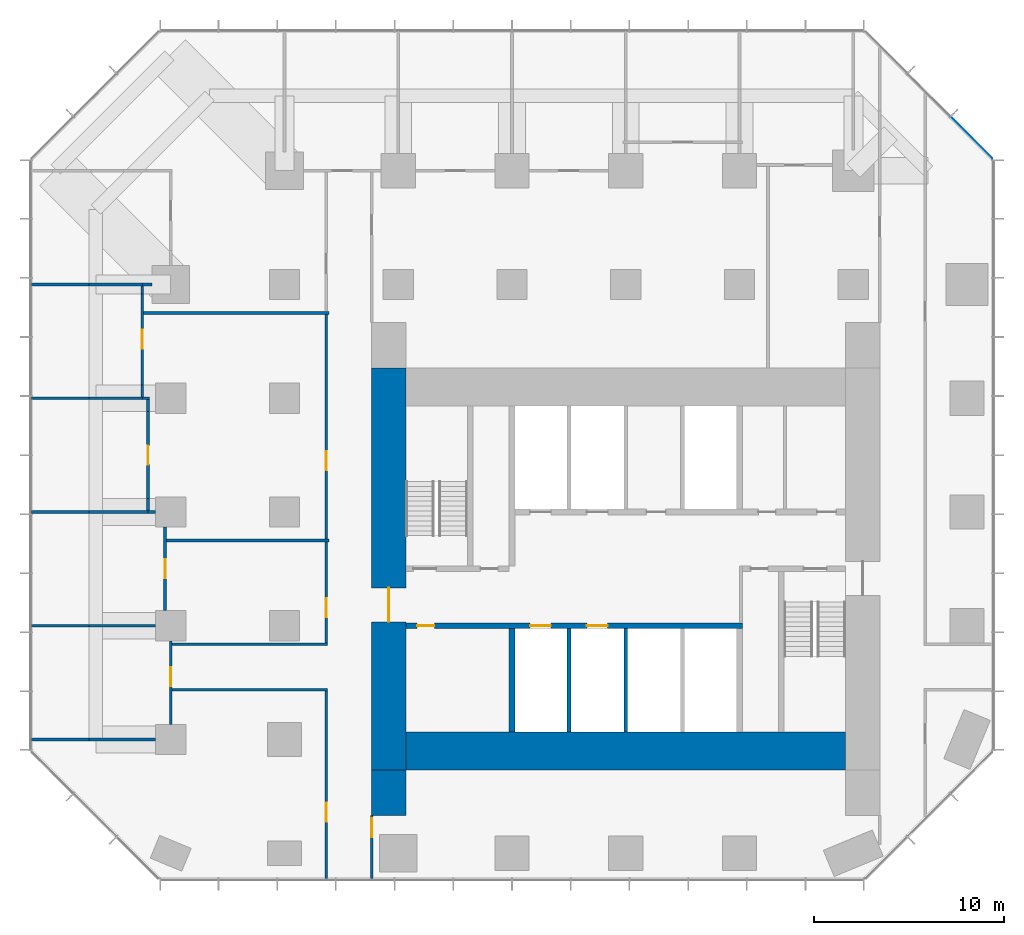
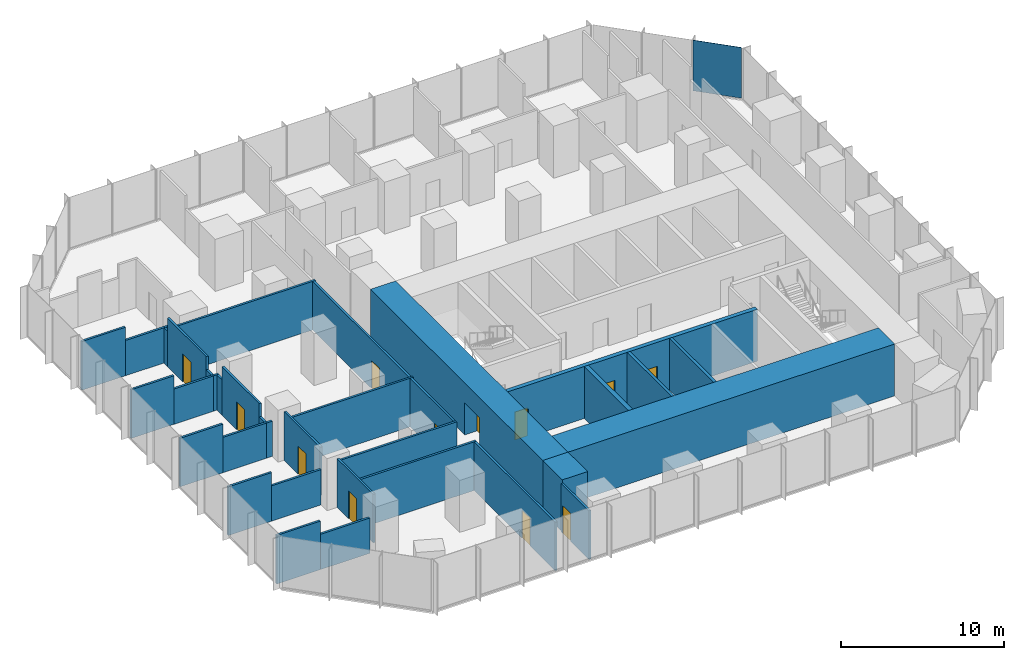
# One storey, part 8 of 11: 36 walls, 12 doors, 1 plate, 12 openings, 1 element without a shape of its own.
"""IFC4 building model written with IfcOpenShell, lengths in metres."""

import ifcopenshell
import ifcopenshell.guid

model = None  # the IFC model being written
_history = None  # IfcOwnerHistory: only IFC2X3 demands one
_inside = {}  # id of a spatial element -> (the spatial element, [elements in it])
_under = {}  # id of a project, library or spatial element -> (it, [spatial elements below it])
_declared = {}  # id of a project -> (the project, [libraries it declares])
_typed = {}  # id of a type object -> (the type object, [elements of that type])
_made_of = {}  # id of a material, layer set ... -> (it, [elements and type objects made of it])


def new_model(schema):
    """Start an empty IFC model of exactly this schema.

    Asked for "IFC4X3", IfcOpenShell would pick the latest addendum, in which some entities
    have other attributes; the version numbers below select the first issue.
    IFC2X3 requires an IfcOwnerHistory on every rooted entity: one is made here for all.
    """
    global model, _history
    if schema == "IFC4X3":
        model = ifcopenshell.file(schema_version=(4, 3, 0, 0))
    else:
        model = ifcopenshell.file(schema=schema)
    _inside.clear()
    _under.clear()
    _declared.clear()
    _typed.clear()
    _made_of.clear()
    _history = None
    if model.schema == "IFC2X3":
        org = make("IfcOrganization", Name="unknown")
        user = make(
            "IfcPersonAndOrganization",
            ThePerson=make("IfcPerson", FamilyName="unknown"),
            TheOrganization=org,
        )
        app = make(
            "IfcApplication",
            ApplicationDeveloper=org,
            Version="unknown",
            ApplicationFullName="unknown",
            ApplicationIdentifier="unknown",
        )
        _history = make(
            "IfcOwnerHistory",
            OwningUser=user,
            OwningApplication=app,
            ChangeAction="ADDED",
            CreationDate=0,
        )
    return model


def make(cls, **values):
    """One entity of the class cls with the attributes given. An attribute that is None is left unset."""
    return model.create_entity(
        cls, **{name: value for name, value in values.items() if value is not None}
    )


def rooted(cls, **values):
    """An entity with a GlobalId (a new one), such as an element, a storey or a relation."""
    return make(cls, GlobalId=ifcopenshell.guid.new(), OwnerHistory=_history, **values)


def si_unit(unit_type, name, prefix=None):
    """IfcSIUnit, for example si_unit("LENGTHUNIT", "METRE", prefix="MILLI")."""
    return make("IfcSIUnit", UnitType=unit_type, Prefix=prefix, Name=name)


def assignment(units):
    """IfcUnitAssignment: the units of a project."""
    return None if units is None else make("IfcUnitAssignment", Units=units)


def point(xyz):
    """IfcCartesianPoint."""
    return None if xyz is None else make("IfcCartesianPoint", Coordinates=xyz)


def direction(xyz):
    """IfcDirection."""
    return None if xyz is None else make("IfcDirection", DirectionRatios=xyz)


def frame(location, z_axis=None, x_axis=None):
    """IfcAxis2Placement3D, a coordinate frame: its origin and axes. An axis left out is left unset."""
    return make(
        "IfcAxis2Placement3D",
        Location=point(location),
        Axis=direction(z_axis),
        RefDirection=direction(x_axis),
    )


def frame_2d(location, x_axis=None):
    """IfcAxis2Placement2D, a coordinate frame in the plane: its origin and x axis."""
    return make(
        "IfcAxis2Placement2D", Location=point(location), RefDirection=direction(x_axis)
    )


def origin():
    """The frame at (0, 0, 0) with its axes left unset."""
    return frame((0.0, 0.0, 0.0))


def origin_2d():
    """The frame at (0, 0) in the plane with its x axis left unset."""
    return frame_2d((0.0, 0.0))


def place(relative_to, where):
    """IfcLocalPlacement: puts the frame where relative to a parent placement (None: the world)."""
    return make(
        "IfcLocalPlacement", PlacementRelTo=relative_to, RelativePlacement=where
    )


def context(
    kind, dimensions, precision=None, world=None, true_north=None, identifier=None
):
    """IfcGeometricRepresentationContext, for example the 3D "Model" context."""
    return make(
        "IfcGeometricRepresentationContext",
        ContextIdentifier=identifier,
        ContextType=kind,
        CoordinateSpaceDimension=dimensions,
        Precision=precision,
        WorldCoordinateSystem=world,
        TrueNorth=true_north,
    )


def subcontext(parent, identifier, kind, view, scale=None):
    """IfcGeometricRepresentationSubContext, for example "Body" below "Model"."""
    return make(
        "IfcGeometricRepresentationSubContext",
        ContextIdentifier=identifier,
        ContextType=kind,
        ParentContext=parent,
        TargetScale=scale,
        TargetView=view,
    )


def project(units=None, contexts=None):
    """IfcProject with its units and contexts."""
    return rooted(
        "IfcProject",
        Name="project",
        RepresentationContexts=contexts,
        UnitsInContext=assignment(units),
    )


def spatial(cls, under=None, at=None, **own):
    """A site, building, storey or space (cls), placed at a placement, below another one or the project."""
    s = rooted(cls, ObjectPlacement=at, **own)
    if under is not None:
        _under.setdefault(under.id(), (under, []))[1].append(s)
    return s


def profile(cls, at=None, kind="AREA", **sizes):
    """A parametric profile (cls). Its sizes go by their IFC names, for example OverallWidth=200.0."""
    return make(cls, ProfileType=kind, Position=at, **sizes)


def rectangle(**sizes):
    """IfcRectangleProfileDef."""
    return profile("IfcRectangleProfileDef", **sizes)


def extrude(swept, where, along, depth):
    """IfcExtrudedAreaSolid: the profile swept, set in the frame where, extruded along a direction by depth."""
    return make(
        "IfcExtrudedAreaSolid",
        SweptArea=swept,
        Position=where,
        ExtrudedDirection=direction(along),
        Depth=depth,
    )


def shape(context_of_items, identifier, shape_type, items):
    """IfcShapeRepresentation: the items that make up one representation, for example the "Body"."""
    return make(
        "IfcShapeRepresentation",
        ContextOfItems=context_of_items,
        RepresentationIdentifier=identifier,
        RepresentationType=shape_type,
        Items=items,
    )


def material(Name=None, Category=None):
    """IfcMaterial."""
    return make("IfcMaterial", Name=Name, Category=Category)


def layer(
    of_material, thickness, ventilated=None, Name=None, Category=None, Priority=None
):
    """IfcMaterialLayer: one layer of a wall or slab, of a material (None: an air gap)."""
    return make(
        "IfcMaterialLayer",
        Material=of_material,
        LayerThickness=thickness,
        IsVentilated=ventilated,
        Name=Name,
        Category=Category,
        Priority=Priority,
    )


def layer_set(layers, Name=None):
    """IfcMaterialLayerSet."""
    return make("IfcMaterialLayerSet", MaterialLayers=layers, LayerSetName=Name)


def made_of(thing, what):
    """Note that an element or type object is made of a material, layer set ...; save() writes the relation."""
    if what is not None:
        _made_of.setdefault(what.id(), (what, []))[1].append(thing)
    return thing


def type_object(cls, material=None, **own):
    """A type object (cls), such as IfcWallType, which elements share."""
    return made_of(rooted(cls, **own), material)


def element(
    cls,
    number,
    at=None,
    inside=None,
    cuts=None,
    type_object=None,
    material=None,
    context=None,
    identifier="Body",
    shape_type=None,
    held_by="IfcProductDefinitionShape",
    body=None,
    shapes=None,
    **own,
):
    """One element of the class cls, such as IfcWall. Its Tag is "e" and its number.

    at: its placement. inside: the storey or other place that contains it. cuts: it is an
    opening in that element (IfcRelVoidsElement). A single representation is given by context,
    identifier, shape_type and body (its items); several are given by shapes. held_by: the class
    of the entity that holds the representations. save() writes the other relations.
    """
    e = rooted(cls, Tag="e%d" % number, ObjectPlacement=at, **own)
    if body is not None:
        shapes = [shape(context, identifier, shape_type, body)]
    if shapes is not None:
        e.Representation = make(held_by, Representations=shapes)
    if inside is not None:
        _inside.setdefault(inside.id(), (inside, []))[1].append(e)
    if cuts is not None:
        rooted(
            "IfcRelVoidsElement", RelatingBuildingElement=cuts, RelatedOpeningElement=e
        )
    if type_object is not None:
        _typed.setdefault(type_object.id(), (type_object, []))[1].append(e)
    return made_of(e, material)


def fill(opening, filler):
    """IfcRelFillsElement: the door or window that sits in an opening."""
    return rooted(
        "IfcRelFillsElement",
        RelatingOpeningElement=opening,
        RelatedBuildingElement=filler,
    )


def aggregate(whole, parts):
    """IfcRelAggregates: a whole, such as a stair, and the parts it consists of."""
    return rooted("IfcRelAggregates", RelatingObject=whole, RelatedObjects=parts)


def save(model, path):
    """Write the relations noted so far, then the file.

    IfcRelAggregates (storeys below a building ...), IfcRelContainedInSpatialStructure (elements
    in a storey), IfcRelDefinesByType, IfcRelAssociatesMaterial and IfcRelDeclares: one each for
    every whole, place, type object, material and project.
    """
    for whole, parts in _under.values():
        aggregate(whole, parts)
    for where, things in _inside.values():
        rooted(
            "IfcRelContainedInSpatialStructure",
            RelatedElements=things,
            RelatingStructure=where,
        )
    for kind, things in _typed.values():
        rooted("IfcRelDefinesByType", RelatedObjects=things, RelatingType=kind)
    for what, things in _made_of.values():
        rooted("IfcRelAssociatesMaterial", RelatedObjects=things, RelatingMaterial=what)
    for by, libraries in _declared.values():
        rooted("IfcRelDeclares", RelatingContext=by, RelatedDefinitions=libraries)
    model.write(path)


model = new_model("IFC4")

# Units and contexts
model_context = context("Model", 3, precision=1e-05, world=origin(), true_north=direction((0.0, 1.0)))
body_context = subcontext(model_context, "Body", "Model", "MODEL_VIEW")
ifc_project = project(units=[si_unit("LENGTHUNIT", "METRE"), si_unit("AREAUNIT", "SQUARE_METRE"), si_unit("VOLUMEUNIT", "CUBIC_METRE"), si_unit("PLANEANGLEUNIT", "RADIAN"), si_unit("MASSUNIT", "GRAM", prefix="KILO")], contexts=[model_context])

# Site, building, storey
site_placement = place(None, origin())
site = spatial("IfcSite", under=ifc_project, at=site_placement, CompositionType="ELEMENT")
building_placement = place(site_placement, origin())
building = spatial("IfcBuilding", under=site, at=building_placement, Name="Highveld Stack Headquarters", CompositionType="ELEMENT")
storey_placement = place(building_placement, frame((0.0, 0.0, 97.699951171875)))
storey = spatial("IfcBuildingStorey", under=building, at=storey_placement, Name="L23", CompositionType="ELEMENT", Elevation=97.699951171875)

# Curtain wall, plate
ifc_material_1 = material(Name="Aluminium bronze anodised", Category="aluminium")
ifc_layer_1 = layer(ifc_material_1, 0.199951171875)
ifc_layer_set_1 = layer_set([ifc_layer_1], Name="Aluminium bronze anodised")
curtain_wall_type = type_object("IfcCurtainWallType", Name="CW2 TOWER CHAMFER UNITISED CURTAIN WALL", PredefinedType="NOTDEFINED", material=ifc_layer_set_1)
curtain_wall_placement = place(storey_placement, origin())
curtain_wall = element("IfcCurtainWall", 1, at=curtain_wall_placement, inside=storey, type_object=curtain_wall_type, Name="Curtain wall CW2 L23 NE", PredefinedType="NOTDEFINED")
ifc_material_2 = material(Name="Glass bronze tinted double glazed unit", Category="glass")
ifc_layer_2 = layer(ifc_material_2, 0.028076171875)
ifc_layer_set_2 = layer_set([ifc_layer_2], Name="Glass bronze tinted double glazed unit")
plate_type = type_object("IfcPlateType", Name="CW2 PANEL BRONZE TINTED DOUBLE GLAZED UNIT", PredefinedType="CURTAIN_PANEL", material=ifc_layer_set_2)
plate_placement = place(storey_placement, frame((24.239501953125, 25.740478515625, 0.10009765625), z_axis=(0.0, 0.0, 1.0), x_axis=(-0.707106781187, 0.707106781187, 0.0)))
plate = element("IfcPlate", 2, at=plate_placement, type_object=plate_type, Name="CW2 panel L23 1.1", PredefinedType="CURTAIN_PANEL", context=body_context, shape_type="SweptSolid", body=[
    extrude(rectangle(XDim=3.08251953125, YDim=0.028076171875, at=origin_2d()), origin(), (0.0, 0.0, 1.0), 3.800048828125),
])
aggregate(curtain_wall, [plate])

# Wall, opening, door
ifc_material_3 = material(Name="Concrete C60/75", Category="concrete")
ifc_layer_3 = layer(ifc_material_3, 1.800048828125)
ifc_layer_set_3 = layer_set([ifc_layer_3], Name="Concrete C60/75")
wall_type_1 = type_object("IfcWallType", Name="CORE WALL 1800 C60/75", PredefinedType="SHEAR", material=ifc_layer_set_3)
wall_1_placement = place(storey_placement, frame((-6.5, -7.60009765625, 0.0), z_axis=(0.0, 0.0, 1.0), x_axis=(0.0, 1.0, 0.0)))
wall_1 = element("IfcWall", 3, at=wall_1_placement, inside=storey, type_object=wall_type_1, Name="Core wall W L23", PredefinedType="SHEAR", context=body_context, shape_type="SweptSolid", body=[
    extrude(rectangle(XDim=21.2001953125, YDim=1.800048828125, at=frame_2d((10.60009765625, 0.0))), origin(), (0.0, 0.0, 1.0), 3.900146484375),
])
opening_1_placement = place(wall_1_placement, frame((7.800048828125, 0.0, 0.0)))
opening_1 = element("IfcOpeningElement", 4, at=opening_1_placement, cuts=wall_1, Name="Opening L23-01", PredefinedType="OPENING", context=body_context, shape_type="SweptSolid", body=[
    extrude(rectangle(XDim=1.800048828125, YDim=2.39990234375, at=frame_2d((0.89990234375, 1.199951171875))), frame((0.0, 0.909912109375, 0.0), z_axis=(0.0, -1.0, 0.0), x_axis=(1.0, 0.0, 0.0)), (0.0, 0.0, 1.0), 1.820068359375),
])
ifc_material_4 = material(Name="Steel fire door", Category="steel")
door_type_1 = type_object("IfcDoorType", Name="LOBBY FIRE DOOR D4 1800x2400", OperationType="DOUBLE_DOOR_SINGLE_SWING", PredefinedType="DOOR", material=ifc_material_4)
door_1_placement = place(opening_1_placement, origin())
door_1 = element("IfcDoor", 5, at=door_1_placement, inside=storey, type_object=door_type_1, Name="Core west door L23", OperationType="DOUBLE_DOOR_SINGLE_SWING", OverallHeight=2.39990234375, OverallWidth=1.800048828125, PredefinedType="DOOR", context=body_context, shape_type="SweptSolid", body=[
    extrude(rectangle(XDim=1.800048828125, YDim=2.39990234375, at=frame_2d((0.89990234375, 1.199951171875))), frame((0.0, 0.02490234375, 0.0), z_axis=(0.0, -1.0, 0.0), x_axis=(1.0, 0.0, 0.0)), (0.0, 0.0, 1.0), 0.050048828125),
])
fill(opening_1, door_1)

# Wall
ifc_material_5 = material(Name="Concrete C60/75", Category="concrete")
ifc_layer_4 = layer(ifc_material_5, 2.0)
ifc_layer_set_4 = layer_set([ifc_layer_4], Name="Concrete C60/75")
wall_type_2 = type_object("IfcWallType", Name="CORE WALL 2000 C60/75", PredefinedType="SHEAR", material=ifc_layer_set_4)
wall_2_placement = place(storey_placement, frame((-5.60009765625, -6.60009765625, 0.0), z_axis=(0.0, 0.0, 1.0), x_axis=(1.0, 0.0, 0.0)))
element("IfcWall", 6, at=wall_2_placement, inside=storey, type_object=wall_type_2, Name="Core wall S L23", PredefinedType="SHEAR", context=body_context, shape_type="SweptSolid", body=[
    extrude(rectangle(XDim=23.2001953125, YDim=2.0, at=frame_2d((11.60009765625, 0.0))), origin(), (0.0, 0.0, 1.0), 3.900146484375),
])

# Wall, openings, doors
ifc_material_6 = material(Name="Concrete C60/75", Category="concrete")
ifc_layer_5 = layer(ifc_material_6, 0.300048828125)
ifc_layer_set_5 = layer_set([ifc_layer_5], Name="Concrete C60/75")
wall_type_3 = type_object("IfcWallType", Name="CORE WALL 300 C60/75", PredefinedType="SHEAR", material=ifc_layer_set_5)
wall_3_placement = place(storey_placement, frame((-5.60009765625, 0.0, 0.0), z_axis=(0.0, 0.0, 1.0), x_axis=(1.0, 0.0, 0.0)))
wall_3 = element("IfcWall", 7, at=wall_3_placement, inside=storey, type_object=wall_type_3, Name="Core wall I-Y0 L23", PredefinedType="SHEAR", context=body_context, shape_type="SweptSolid", body=[
    extrude(rectangle(XDim=17.75, YDim=0.300048828125, at=frame_2d((8.875, 0.0))), origin(), (0.0, 0.0, 1.0), 3.900146484375),
])
opening_2_placement = place(wall_3_placement, frame((0.60009765625, 0.0, 0.0)))
opening_2 = element("IfcOpeningElement", 8, at=opening_2_placement, cuts=wall_3, Name="Opening L23-07", PredefinedType="OPENING", context=body_context, shape_type="SweptSolid", body=[
    extrude(rectangle(XDim=0.89990234375, YDim=2.10009765625, at=frame_2d((0.449951171875, 1.050048828125))), frame((0.0, 0.159912109375, 0.0), z_axis=(0.0, -1.0, 0.0), x_axis=(1.0, 0.0, 0.0)), (0.0, 0.0, 1.0), 0.320068359375),
])
opening_3_placement = place(wall_3_placement, frame((6.550048828125, 0.0, 0.0)))
opening_3 = element("IfcOpeningElement", 9, at=opening_3_placement, cuts=wall_3, Name="Opening LD", PredefinedType="OPENING", context=body_context, shape_type="SweptSolid", body=[
    extrude(rectangle(XDim=1.10009765625, YDim=2.10009765625, at=frame_2d((0.550048828125, 1.050048828125))), frame((0.0, 0.159912109375, 0.0), z_axis=(0.0, -1.0, 0.0), x_axis=(1.0, 0.0, 0.0)), (0.0, 0.0, 1.0), 0.320068359375),
])
opening_4_placement = place(wall_3_placement, frame((9.550048828125, 0.0, 0.0)))
opening_4 = element("IfcOpeningElement", 10, at=opening_4_placement, cuts=wall_3, Name="Opening LD", PredefinedType="OPENING", context=body_context, shape_type="SweptSolid", body=[
    extrude(rectangle(XDim=1.10009765625, YDim=2.10009765625, at=frame_2d((0.550048828125, 1.050048828125))), frame((0.0, 0.159912109375, 0.0), z_axis=(0.0, -1.0, 0.0), x_axis=(1.0, 0.0, 0.0)), (0.0, 0.0, 1.0), 0.320068359375),
])
ifc_material_7 = material(Name="Stainless steel lift landing door", Category="steel")
door_type_2 = type_object("IfcDoorType", Name="LIFT LANDING DOOR LD 1100x2100", OperationType="DOUBLE_DOOR_SLIDING", PredefinedType="USERDEFINED", material=ifc_material_7)
door_2_placement = place(opening_3_placement, origin())
door_2 = element("IfcDoor", 11, at=door_2_placement, inside=storey, type_object=door_type_2, Name="Lift landing door B1 L23", ObjectType="LIFT LANDING DOOR", OperationType="DOUBLE_DOOR_SLIDING", OverallHeight=2.10009765625, OverallWidth=1.10009765625, PredefinedType="USERDEFINED", context=body_context, shape_type="SweptSolid", body=[
    extrude(rectangle(XDim=1.10009765625, YDim=2.10009765625, at=frame_2d((0.550048828125, 1.050048828125))), frame((0.0, 0.02490234375, 0.0), z_axis=(0.0, -1.0, 0.0), x_axis=(1.0, 0.0, 0.0)), (0.0, 0.0, 1.0), 0.050048828125),
])
fill(opening_3, door_2)
door_3_placement = place(opening_4_placement, origin())
door_3 = element("IfcDoor", 12, at=door_3_placement, inside=storey, type_object=door_type_2, Name="Lift landing door B2 L23", ObjectType="LIFT LANDING DOOR", OperationType="DOUBLE_DOOR_SLIDING", OverallHeight=2.10009765625, OverallWidth=1.10009765625, PredefinedType="USERDEFINED", context=body_context, shape_type="SweptSolid", body=[
    extrude(rectangle(XDim=1.10009765625, YDim=2.10009765625, at=frame_2d((0.550048828125, 1.050048828125))), frame((0.0, 0.02490234375, 0.0), z_axis=(0.0, -1.0, 0.0), x_axis=(1.0, 0.0, 0.0)), (0.0, 0.0, 1.0), 0.050048828125),
])
fill(opening_4, door_3)
ifc_material_8 = material(Name="Timber door, painted", Category="wood")
door_type_3 = type_object("IfcDoorType", Name="WC DOOR D1 900x2100", OperationType="SINGLE_SWING_LEFT", PredefinedType="DOOR", material=ifc_material_8)
door_4_placement = place(opening_2_placement, origin())
door_4 = element("IfcDoor", 13, at=door_4_placement, inside=storey, type_object=door_type_3, Name="Female WC door L23", OperationType="SINGLE_SWING_LEFT", OverallHeight=2.10009765625, OverallWidth=0.89990234375, PredefinedType="DOOR", context=body_context, shape_type="SweptSolid", body=[
    extrude(rectangle(XDim=0.89990234375, YDim=2.10009765625, at=frame_2d((0.449951171875, 1.050048828125))), frame((0.0, 0.02490234375, 0.0), z_axis=(0.0, -1.0, 0.0), x_axis=(1.0, 0.0, 0.0)), (0.0, 0.0, 1.0), 0.050048828125),
])
fill(opening_2, door_4)

# Walls
wall_4_placement = place(storey_placement, frame((0.0, -5.60009765625, 0.0), z_axis=(0.0, 0.0, 1.0), x_axis=(0.0, 1.0, 0.0)))
element("IfcWall", 14, at=wall_4_placement, inside=storey, type_object=wall_type_3, Name="Core wall I-X0S L23", PredefinedType="SHEAR", context=body_context, shape_type="SweptSolid", body=[
    extrude(rectangle(XDim=5.4501953125, YDim=0.300048828125, at=frame_2d((2.72509765625, 0.0))), origin(), (0.0, 0.0, 1.0), 3.900146484375),
])
ifc_material_9 = material(Name="Concrete C60/75", Category="concrete")
ifc_layer_6 = layer(ifc_material_9, 1.800048828125)
ifc_layer_set_6 = layer_set([ifc_layer_6], Name="Concrete C60/75")
wall_type_4 = type_object("IfcWallType", Name="CORE WING WALL 1800 C60/75", PredefinedType="SHEAR", material=ifc_layer_set_6)
wall_5_placement = place(storey_placement, frame((-6.5, -10.0, 0.0), z_axis=(0.0, 0.0, 1.0), x_axis=(0.0, 1.0, 0.0)))
element("IfcWall", 15, at=wall_5_placement, inside=storey, type_object=wall_type_4, Name="Core wing wall WS L23", PredefinedType="SHEAR", context=body_context, shape_type="SweptSolid", body=[
    extrude(rectangle(XDim=2.39990234375, YDim=1.800048828125, at=frame_2d((1.199951171875, 0.0))), origin(), (0.0, 0.0, 1.0), 3.900146484375),
])

# Wall, opening, door
ifc_material_10 = material(Name="Laminated glass in aluminium frame", Category="aluminium")
ifc_layer_7 = layer(ifc_material_10, 0.14990234375)
ifc_layer_set_7 = layer_set([ifc_layer_7], Name="Laminated glass in aluminium frame")
wall_type_5 = type_object("IfcWallType", Name="GLAZED PARTITION 150", PredefinedType="PARTITIONING", material=ifc_layer_set_7)
wall_6_placement = place(storey_placement, frame((-18.300048828125, 0.800048828125, 0.0), z_axis=(0.0, 0.0, 1.0), x_axis=(0.0, 1.0, 0.0)))
wall_6 = element("IfcWall", 16, at=wall_6_placement, inside=storey, type_object=wall_type_5, Name="Glazed partition Client meeting room L23", PredefinedType="PARTITIONING", context=body_context, shape_type="SweptSolid", body=[
    extrude(rectangle(XDim=4.39990234375, YDim=0.14990234375, at=frame_2d((2.199951171875, 0.0))), origin(), (0.0, 0.0, 1.0), 3.650146484375),
])
opening_5_placement = place(wall_6_placement, frame((1.699951171875, 0.0, 0.0)))
opening_5 = element("IfcOpeningElement", 17, at=opening_5_placement, cuts=wall_6, Name="Opening L23-12", PredefinedType="OPENING", context=body_context, shape_type="SweptSolid", body=[
    extrude(rectangle(XDim=1.0, YDim=2.10009765625, at=frame_2d((0.5, 1.050048828125))), frame((0.0, 0.0849609375, 0.0), z_axis=(0.0, -1.0, 0.0), x_axis=(1.0, 0.0, 0.0)), (0.0, 0.0, 1.0), 0.169921875),
])
ifc_material_11 = material(Name="Timber door, oiled ash", Category="wood")
door_type_4 = type_object("IfcDoorType", Name="ROOM DOOR D6 1000x2100", OperationType="SINGLE_SWING_LEFT", PredefinedType="DOOR", material=ifc_material_11)
door_5_placement = place(opening_5_placement, origin())
door_5 = element("IfcDoor", 18, at=door_5_placement, inside=storey, type_object=door_type_4, Name="Client meeting room door 1 L23", OperationType="SINGLE_SWING_LEFT", OverallHeight=2.10009765625, OverallWidth=1.0, PredefinedType="DOOR", context=body_context, shape_type="SweptSolid", body=[
    extrude(rectangle(XDim=1.0, YDim=2.10009765625, at=frame_2d((0.5, 1.050048828125))), frame((0.0, 0.02490234375, 0.0), z_axis=(0.0, -1.0, 0.0), x_axis=(1.0, 0.0, 0.0)), (0.0, 0.0, 1.0), 0.050048828125),
])
fill(opening_5, door_5)

# Walls
ifc_material_12 = material(Name="Concrete blockwork, fair-faced", Category="masonry")
ifc_layer_8 = layer(ifc_material_12, 0.199951171875)
ifc_layer_set_8 = layer_set([ifc_layer_8], Name="Concrete blockwork, fair-faced")
wall_type_6 = type_object("IfcWallType", Name="LIFT SHAFT ENCLOSURE WALL 200 BLOCKWORK", PredefinedType="SOLIDWALL", material=ifc_layer_set_8)
for number, where, z_axis, x_axis, name in (
    (19, (3.0, -5.60009765625, 0.0), (0.0, 0.0, 1.0), (0.0, 1.0, 0.0), "Lift shaft wall L23"),
    (20, (6.0, -5.60009765625, 0.0), (0.0, 0.0, 1.0), (0.0, 1.0, 0.0), "Lift shaft wall L23"),
):
    element("IfcWall", number, at=place(storey_placement, frame(where, z_axis=z_axis, x_axis=x_axis)), inside=storey, type_object=wall_type_6, Name=name, PredefinedType="SOLIDWALL", context=body_context, shape_type="SweptSolid", body=[
        extrude(rectangle(XDim=5.4501953125, YDim=0.199951171875, at=frame_2d((2.72509765625, 0.0))), origin(), (0.0, 0.0, 1.0), 3.900146484375),
    ])
ifc_material_13 = material(Name="Gypsum plasterboard on steel studs", Category="steel")
ifc_layer_9 = layer(ifc_material_13, 0.14990234375)
ifc_layer_set_9 = layer_set([ifc_layer_9], Name="Gypsum plasterboard on steel studs")
wall_type_7 = type_object("IfcWallType", Name="PARTITION 150 PLASTERBOARD", PredefinedType="PARTITIONING", material=ifc_layer_set_9)
wall_7_placement = place(storey_placement, frame((-25.39990234375, -6.0, 0.0), z_axis=(0.0, 0.0, 1.0), x_axis=(1.0, 0.0, 0.0)))
element("IfcWall", 21, at=wall_7_placement, inside=storey, type_object=wall_type_7, Name="Partition Office L23", PredefinedType="PARTITIONING", context=body_context, shape_type="SweptSolid", body=[
    extrude(rectangle(XDim=3.08984375, YDim=0.14990234375, at=frame_2d((1.544921875, 0.0))), origin(), (0.0, 0.0, 1.0), 3.650146484375),
])
wall_8_placement = place(storey_placement, frame((-22.31005859375, -6.0, 0.0), z_axis=(0.0, 0.0, 1.0), x_axis=(1.0, 0.0, 0.0)))
element("IfcWall", 22, at=wall_8_placement, inside=storey, type_object=wall_type_7, Name="Partition Office L23", PredefinedType="PARTITIONING", context=body_context, shape_type="SweptSolid", body=[
    extrude(rectangle(XDim=3.510009765625, YDim=0.14990234375, at=frame_2d((1.7548828125, 0.0))), origin(), (0.0, 0.0, 1.0), 2.650146484375),
])
wall_9_placement = place(storey_placement, frame((-25.39990234375, 0.0, 0.0), z_axis=(0.0, 0.0, 1.0), x_axis=(1.0, 0.0, 0.0)))
element("IfcWall", 23, at=wall_9_placement, inside=storey, type_object=wall_type_7, Name="Partition Client meeting room / Office L23", PredefinedType="PARTITIONING", context=body_context, shape_type="SweptSolid", body=[
    extrude(rectangle(XDim=3.08984375, YDim=0.14990234375, at=frame_2d((1.544921875, 0.0))), origin(), (0.0, 0.0, 1.0), 3.650146484375),
])
wall_10_placement = place(storey_placement, frame((-22.31005859375, 0.0, 0.0), z_axis=(0.0, 0.0, 1.0), x_axis=(1.0, 0.0, 0.0)))
element("IfcWall", 24, at=wall_10_placement, inside=storey, type_object=wall_type_7, Name="Partition Client meeting room / Office L23", PredefinedType="PARTITIONING", context=body_context, shape_type="SweptSolid", body=[
    extrude(rectangle(XDim=3.510009765625, YDim=0.14990234375, at=frame_2d((1.7548828125, 0.0))), origin(), (0.0, 0.0, 1.0), 2.650146484375),
])
wall_11_placement = place(storey_placement, frame((-25.35009765625, 6.0, 0.0), z_axis=(0.0, 0.0, 1.0), x_axis=(1.0, 0.0, 0.0)))
element("IfcWall", 25, at=wall_11_placement, inside=storey, type_object=wall_type_7, Name="Partition Client meeting room / Tea kitchen L23", PredefinedType="PARTITIONING", context=body_context, shape_type="SweptSolid", body=[
    extrude(rectangle(XDim=3.0400390625, YDim=0.14990234375, at=frame_2d((1.52001953125, 0.0))), origin(), (0.0, 0.0, 1.0), 3.650146484375),
])
wall_12_placement = place(storey_placement, frame((-22.31005859375, 6.0, 0.0), z_axis=(0.0, 0.0, 1.0), x_axis=(1.0, 0.0, 0.0)))
element("IfcWall", 26, at=wall_12_placement, inside=storey, type_object=wall_type_7, Name="Partition Client meeting room / Tea kitchen L23", PredefinedType="PARTITIONING", context=body_context, shape_type="SweptSolid", body=[
    extrude(rectangle(XDim=3.18505859375, YDim=0.14990234375, at=frame_2d((1.592529296875, 0.0))), origin(), (0.0, 0.0, 1.0), 2.650146484375),
])
wall_13_placement = place(storey_placement, frame((-19.199951171875, 6.0, 0.0), z_axis=(0.0, 0.0, 1.0), x_axis=(1.0, 0.0, 0.0)))
element("IfcWall", 27, at=wall_13_placement, inside=storey, type_object=wall_type_7, Name="Partition Client meeting room L23", PredefinedType="PARTITIONING", context=body_context, shape_type="SweptSolid", body=[
    extrude(rectangle(XDim=0.39990234375, YDim=0.14990234375, at=frame_2d((0.199951171875, 0.0))), origin(), (0.0, 0.0, 1.0), 2.650146484375),
])
wall_14_placement = place(storey_placement, frame((-25.35009765625, 12.0, 0.0), z_axis=(0.0, 0.0, 1.0), x_axis=(1.0, 0.0, 0.0)))
element("IfcWall", 28, at=wall_14_placement, inside=storey, type_object=wall_type_7, Name="Partition Quiet room / Tea kitchen L23", PredefinedType="PARTITIONING", context=body_context, shape_type="SweptSolid", body=[
    extrude(rectangle(XDim=3.0400390625, YDim=0.14990234375, at=frame_2d((1.52001953125, 0.0))), origin(), (0.0, 0.0, 1.0), 3.650146484375),
])
wall_15_placement = place(storey_placement, frame((-22.31005859375, 12.0, 0.0), z_axis=(0.0, 0.0, 1.0), x_axis=(1.0, 0.0, 0.0)))
element("IfcWall", 29, at=wall_15_placement, inside=storey, type_object=wall_type_7, Name="Partition Quiet room / Tea kitchen L23", PredefinedType="PARTITIONING", context=body_context, shape_type="SweptSolid", body=[
    extrude(rectangle(XDim=2.885009765625, YDim=0.14990234375, at=frame_2d((1.4423828125, 0.0))), origin(), (0.0, 0.0, 1.0), 2.650146484375),
])
wall_16_placement = place(storey_placement, frame((-19.5, 12.0, 0.0), z_axis=(0.0, 0.0, 1.0), x_axis=(1.0, 0.0, 0.0)))
element("IfcWall", 30, at=wall_16_placement, inside=storey, type_object=wall_type_7, Name="Partition Tea kitchen L23", PredefinedType="PARTITIONING", context=body_context, shape_type="SweptSolid", body=[
    extrude(rectangle(XDim=0.375, YDim=0.14990234375, at=frame_2d((0.1875, 0.0))), origin(), (0.0, 0.0, 1.0), 2.650146484375),
])
wall_17_placement = place(storey_placement, frame((-25.39990234375, 18.0, 0.0), z_axis=(0.0, 0.0, 1.0), x_axis=(1.0, 0.0, 0.0)))
element("IfcWall", 31, at=wall_17_placement, inside=storey, type_object=wall_type_7, Name="Partition Office / Quiet room L23", PredefinedType="PARTITIONING", context=body_context, shape_type="SweptSolid", body=[
    extrude(rectangle(XDim=3.08984375, YDim=0.14990234375, at=frame_2d((1.544921875, 0.0))), origin(), (0.0, 0.0, 1.0), 3.650146484375),
])
wall_18_placement = place(storey_placement, frame((-22.31005859375, 18.0, 0.0), z_axis=(0.0, 0.0, 1.0), x_axis=(1.0, 0.0, 0.0)))
element("IfcWall", 32, at=wall_18_placement, inside=storey, type_object=wall_type_7, Name="Partition Office / Quiet room L23", PredefinedType="PARTITIONING", context=body_context, shape_type="SweptSolid", body=[
    extrude(rectangle(XDim=2.885009765625, YDim=0.14990234375, at=frame_2d((1.4423828125, 0.0))), origin(), (0.0, 0.0, 1.0), 2.650146484375),
])
wall_19_placement = place(storey_placement, frame((-19.5, 18.0, 0.0), z_axis=(0.0, 0.0, 1.0), x_axis=(1.0, 0.0, 0.0)))
element("IfcWall", 33, at=wall_19_placement, inside=storey, type_object=wall_type_7, Name="Partition Office L23", PredefinedType="PARTITIONING", context=body_context, shape_type="SweptSolid", body=[
    extrude(rectangle(XDim=0.5, YDim=0.14990234375, at=frame_2d((0.25, 0.0))), origin(), (0.0, 0.0, 1.0), 2.650146484375),
])
wall_20_placement = place(storey_placement, frame((-19.5, 12.074951171875, 0.0), z_axis=(0.0, 0.0, 1.0), x_axis=(0.0, 1.0, 0.0)))
element("IfcWall", 34, at=wall_20_placement, inside=storey, type_object=wall_type_7, Name="Partition Quiet room L23", PredefinedType="PARTITIONING", context=body_context, shape_type="SweptSolid", body=[
    extrude(rectangle(XDim=0.635009765625, YDim=0.14990234375, at=frame_2d((0.3173828125, 0.0))), origin(), (0.0, 0.0, 1.0), 2.650146484375),
])

# Wall, opening, door
wall_21_placement = place(storey_placement, frame((-19.5, 12.7099609375, 0.0), z_axis=(0.0, 0.0, 1.0), x_axis=(0.0, 1.0, 0.0)))
wall_21 = element("IfcWall", 35, at=wall_21_placement, inside=storey, type_object=wall_type_7, Name="Partition Quiet room L23", PredefinedType="PARTITIONING", context=body_context, shape_type="SweptSolid", body=[
    extrude(rectangle(XDim=4.780029296875, YDim=0.14990234375, at=frame_2d((2.39013671875, 0.0))), origin(), (0.0, 0.0, 1.0), 3.650146484375),
])
opening_6_placement = place(wall_21_placement, frame((1.889892578125, 0.0, 0.0)))
opening_6 = element("IfcOpeningElement", 36, at=opening_6_placement, cuts=wall_21, Name="Opening L23-14", PredefinedType="OPENING", context=body_context, shape_type="SweptSolid", body=[
    extrude(rectangle(XDim=1.0, YDim=2.10009765625, at=frame_2d((0.5, 1.050048828125))), frame((0.0, 0.0849609375, 0.0), z_axis=(0.0, -1.0, 0.0), x_axis=(1.0, 0.0, 0.0)), (0.0, 0.0, 1.0), 0.169921875),
])
door_6_placement = place(opening_6_placement, origin())
door_6 = element("IfcDoor", 37, at=door_6_placement, inside=storey, type_object=door_type_4, Name="Quiet room door 1 L23", OperationType="SINGLE_SWING_RIGHT", OverallHeight=2.10009765625, OverallWidth=1.0, PredefinedType="DOOR", context=body_context, shape_type="SweptSolid", body=[
    extrude(rectangle(XDim=1.0, YDim=2.10009765625, at=frame_2d((0.5, 1.050048828125))), frame((0.0, 0.02490234375, 0.0), z_axis=(0.0, -1.0, 0.0), x_axis=(1.0, 0.0, 0.0)), (0.0, 0.0, 1.0), 0.050048828125),
])
fill(opening_6, door_6)

# Walls
wall_22_placement = place(storey_placement, frame((-19.5, 17.489990234375, 0.0), z_axis=(0.0, 0.0, 1.0), x_axis=(0.0, 1.0, 0.0)))
element("IfcWall", 38, at=wall_22_placement, inside=storey, type_object=wall_type_7, Name="Partition Quiet room L23", PredefinedType="PARTITIONING", context=body_context, shape_type="SweptSolid", body=[
    extrude(rectangle(XDim=0.43505859375, YDim=0.14990234375, at=frame_2d((0.217529296875, 0.0))), origin(), (0.0, 0.0, 1.0), 2.650146484375),
])
wall_23_placement = place(storey_placement, frame((-19.199951171875, 6.074951171875, 0.0), z_axis=(0.0, 0.0, 1.0), x_axis=(0.0, 1.0, 0.0)))
element("IfcWall", 39, at=wall_23_placement, inside=storey, type_object=wall_type_7, Name="Partition Tea kitchen L23", PredefinedType="PARTITIONING", context=body_context, shape_type="SweptSolid", body=[
    extrude(rectangle(XDim=0.635009765625, YDim=0.14990234375, at=frame_2d((0.3173828125, 0.0))), origin(), (0.0, 0.0, 1.0), 2.650146484375),
])

# Wall, opening, door
wall_24_placement = place(storey_placement, frame((-19.199951171875, 6.7099609375, 0.0), z_axis=(0.0, 0.0, 1.0), x_axis=(0.0, 1.0, 0.0)))
wall_24 = element("IfcWall", 40, at=wall_24_placement, inside=storey, type_object=wall_type_7, Name="Partition Tea kitchen L23", PredefinedType="PARTITIONING", context=body_context, shape_type="SweptSolid", body=[
    extrude(rectangle(XDim=4.580078125, YDim=0.14990234375, at=frame_2d((2.2900390625, 0.0))), origin(), (0.0, 0.0, 1.0), 3.650146484375),
])
opening_7_placement = place(wall_24_placement, frame((1.7900390625, 0.0, 0.0)))
opening_7 = element("IfcOpeningElement", 41, at=opening_7_placement, cuts=wall_24, Name="Opening L23-13", PredefinedType="OPENING", context=body_context, shape_type="SweptSolid", body=[
    extrude(rectangle(XDim=1.0, YDim=2.10009765625, at=frame_2d((0.5, 1.050048828125))), frame((0.0, 0.0849609375, 0.0), z_axis=(0.0, -1.0, 0.0), x_axis=(1.0, 0.0, 0.0)), (0.0, 0.0, 1.0), 0.169921875),
])
door_7_placement = place(opening_7_placement, origin())
door_7 = element("IfcDoor", 42, at=door_7_placement, inside=storey, type_object=door_type_4, Name="Tea kitchen door 1 L23", OperationType="SINGLE_SWING_LEFT", OverallHeight=2.10009765625, OverallWidth=1.0, PredefinedType="DOOR", context=body_context, shape_type="SweptSolid", body=[
    extrude(rectangle(XDim=1.0, YDim=2.10009765625, at=frame_2d((0.5, 1.050048828125))), frame((0.0, 0.02490234375, 0.0), z_axis=(0.0, -1.0, 0.0), x_axis=(1.0, 0.0, 0.0)), (0.0, 0.0, 1.0), 0.050048828125),
])
fill(opening_7, door_7)

# Wall
wall_25_placement = place(storey_placement, frame((-19.199951171875, 11.2900390625, 0.0), z_axis=(0.0, 0.0, 1.0), x_axis=(0.0, 1.0, 0.0)))
element("IfcWall", 43, at=wall_25_placement, inside=storey, type_object=wall_type_7, Name="Partition Tea kitchen L23", PredefinedType="PARTITIONING", context=body_context, shape_type="SweptSolid", body=[
    extrude(rectangle(XDim=0.635009765625, YDim=0.14990234375, at=frame_2d((0.3173828125, 0.0))), origin(), (0.0, 0.0, 1.0), 2.650146484375),
])

# Wall, opening, door
wall_26_placement = place(storey_placement, frame((-18.0, -5.199951171875, 0.0), z_axis=(0.0, 0.0, 1.0), x_axis=(0.0, 1.0, 0.0)))
wall_26 = element("IfcWall", 44, at=wall_26_placement, inside=storey, type_object=wall_type_7, Name="Partition Office L23", PredefinedType="PARTITIONING", context=body_context, shape_type="SweptSolid", body=[
    extrude(rectangle(XDim=4.39990234375, YDim=0.14990234375, at=frame_2d((2.199951171875, 0.0))), origin(), (0.0, 0.0, 1.0), 3.650146484375),
])
opening_8_placement = place(wall_26_placement, frame((2.0, 0.0, 0.0)))
opening_8 = element("IfcOpeningElement", 45, at=opening_8_placement, cuts=wall_26, Name="Opening L23-11", PredefinedType="OPENING", context=body_context, shape_type="SweptSolid", body=[
    extrude(rectangle(XDim=1.0, YDim=2.10009765625, at=frame_2d((0.5, 1.050048828125))), frame((0.0, 0.0849609375, 0.0), z_axis=(0.0, -1.0, 0.0), x_axis=(1.0, 0.0, 0.0)), (0.0, 0.0, 1.0), 0.169921875),
])
door_8_placement = place(opening_8_placement, origin())
door_8 = element("IfcDoor", 46, at=door_8_placement, inside=storey, type_object=door_type_4, Name="Office door 1 L23", OperationType="SINGLE_SWING_RIGHT", OverallHeight=2.10009765625, OverallWidth=1.0, PredefinedType="DOOR", context=body_context, shape_type="SweptSolid", body=[
    extrude(rectangle(XDim=1.0, YDim=2.10009765625, at=frame_2d((0.5, 1.050048828125))), frame((0.0, 0.02490234375, 0.0), z_axis=(0.0, -1.0, 0.0), x_axis=(1.0, 0.0, 0.0)), (0.0, 0.0, 1.0), 0.050048828125),
])
fill(opening_8, door_8)

# Walls
wall_27_placement = place(storey_placement, frame((-19.425048828125, 16.5, 0.0), z_axis=(0.0, 0.0, 1.0), x_axis=(1.0, 0.0, 0.0)))
element("IfcWall", 47, at=wall_27_placement, inside=storey, type_object=wall_type_7, Name="Partition office neighbourhood L23", PredefinedType="PARTITIONING", context=body_context, shape_type="SweptSolid", body=[
    extrude(rectangle(XDim=9.775146484375, YDim=0.14990234375, at=frame_2d((4.8876953125, 0.0))), origin(), (0.0, 0.0, 1.0), 3.650146484375),
])
wall_28_placement = place(storey_placement, frame((-18.22509765625, 4.5, 0.0), z_axis=(0.0, 0.0, 1.0), x_axis=(1.0, 0.0, 0.0)))
element("IfcWall", 48, at=wall_28_placement, inside=storey, type_object=wall_type_7, Name="Partition office neighbourhood L23", PredefinedType="PARTITIONING", context=body_context, shape_type="SweptSolid", body=[
    extrude(rectangle(XDim=8.5751953125, YDim=0.14990234375, at=frame_2d((4.28759765625, 0.0))), origin(), (0.0, 0.0, 1.0), 3.650146484375),
])
for number, where, z_axis, x_axis, name in (
    (49, (-17.925048828125, -3.375, 0.0), (0.0, 0.0, 1.0), (1.0, 0.0, 0.0), "Partition office neighbourhood L23"),
    (50, (-17.925048828125, -0.97509765625, 0.0), (0.0, 0.0, 1.0), (1.0, 0.0, 0.0), "Partition office neighbourhood L23"),
):
    element("IfcWall", number, at=place(storey_placement, frame(where, z_axis=z_axis, x_axis=x_axis)), inside=storey, type_object=wall_type_7, Name=name, PredefinedType="PARTITIONING", context=body_context, shape_type="SweptSolid", body=[
        extrude(rectangle(XDim=8.199951171875, YDim=0.14990234375, at=frame_2d((4.10009765625, 0.0))), origin(), (0.0, 0.0, 1.0), 3.650146484375),
    ])

# Wall, opening, door
wall_29_placement = place(storey_placement, frame((-9.800048828125, -13.39990234375, 0.0), z_axis=(0.0, 0.0, 1.0), x_axis=(0.0, 1.0, 0.0)))
wall_29 = element("IfcWall", 51, at=wall_29_placement, inside=storey, type_object=wall_type_7, Name="Partition office neighbourhood L23", PredefinedType="PARTITIONING", context=body_context, shape_type="SweptSolid", body=[
    extrude(rectangle(XDim=9.949951171875, YDim=0.14990234375, at=frame_2d((4.97509765625, 0.0))), origin(), (0.0, 0.0, 1.0), 3.650146484375),
])
opening_9_placement = place(wall_29_placement, frame((3.073974609375, 0.0, 0.0)))
opening_9 = element("IfcOpeningElement", 52, at=opening_9_placement, cuts=wall_29, Name="Opening L23-21", PredefinedType="OPENING", context=body_context, shape_type="SweptSolid", body=[
    extrude(rectangle(XDim=1.0, YDim=2.10009765625, at=frame_2d((0.5, 1.050048828125))), frame((0.0, 0.0849609375, 0.0), z_axis=(0.0, -1.0, 0.0), x_axis=(1.0, 0.0, 0.0)), (0.0, 0.0, 1.0), 0.169921875),
])
door_9_placement = place(opening_9_placement, origin())
door_9 = element("IfcDoor", 53, at=door_9_placement, inside=storey, type_object=door_type_4, Name="Office neighbourhood door L23", OperationType="SINGLE_SWING_LEFT", OverallHeight=2.10009765625, OverallWidth=1.0, PredefinedType="DOOR", context=body_context, shape_type="SweptSolid", body=[
    extrude(rectangle(XDim=1.0, YDim=2.10009765625, at=frame_2d((0.5, 1.050048828125))), frame((0.0, 0.02490234375, 0.0), z_axis=(0.0, -1.0, 0.0), x_axis=(1.0, 0.0, 0.0)), (0.0, 0.0, 1.0), 0.050048828125),
])
fill(opening_9, door_9)

wall_30_placement = place(storey_placement, frame((-9.800048828125, -0.89990234375, 0.0), z_axis=(0.0, 0.0, 1.0), x_axis=(0.0, 1.0, 0.0)))
wall_30 = element("IfcWall", 54, at=wall_30_placement, inside=storey, type_object=wall_type_7, Name="Partition office neighbourhood L23", PredefinedType="PARTITIONING", context=body_context, shape_type="SweptSolid", body=[
    extrude(rectangle(XDim=5.324951171875, YDim=0.14990234375, at=frame_2d((2.66259765625, 0.0))), origin(), (0.0, 0.0, 1.0), 3.650146484375),
])
opening_10_placement = place(wall_30_placement, frame((1.341064453125, 0.0, 0.0)))
opening_10 = element("IfcOpeningElement", 55, at=opening_10_placement, cuts=wall_30, Name="Opening L23-28", PredefinedType="OPENING", context=body_context, shape_type="SweptSolid", body=[
    extrude(rectangle(XDim=1.0, YDim=2.10009765625, at=frame_2d((0.5, 1.050048828125))), frame((0.0, 0.0849609375, 0.0), z_axis=(0.0, -1.0, 0.0), x_axis=(1.0, 0.0, 0.0)), (0.0, 0.0, 1.0), 0.169921875),
])
door_10_placement = place(opening_10_placement, origin())
door_10 = element("IfcDoor", 56, at=door_10_placement, inside=storey, type_object=door_type_4, Name="Office neighbourhood door L23", OperationType="SINGLE_SWING_LEFT", OverallHeight=2.10009765625, OverallWidth=1.0, PredefinedType="DOOR", context=body_context, shape_type="SweptSolid", body=[
    extrude(rectangle(XDim=1.0, YDim=2.10009765625, at=frame_2d((0.5, 1.050048828125))), frame((0.0, 0.02490234375, 0.0), z_axis=(0.0, -1.0, 0.0), x_axis=(1.0, 0.0, 0.0)), (0.0, 0.0, 1.0), 0.050048828125),
])
fill(opening_10, door_10)

wall_31_placement = place(storey_placement, frame((-9.800048828125, 4.574951171875, 0.0), z_axis=(0.0, 0.0, 1.0), x_axis=(0.0, 1.0, 0.0)))
wall_31 = element("IfcWall", 57, at=wall_31_placement, inside=storey, type_object=wall_type_7, Name="Partition office neighbourhood L23", PredefinedType="PARTITIONING", context=body_context, shape_type="SweptSolid", body=[
    extrude(rectangle(XDim=11.85009765625, YDim=0.14990234375, at=frame_2d((5.925048828125, 0.0))), origin(), (0.0, 0.0, 1.0), 3.650146484375),
])
opening_11_placement = place(wall_31_placement, frame((3.625, 0.0, 0.0)))
opening_11 = element("IfcOpeningElement", 58, at=opening_11_placement, cuts=wall_31, Name="Opening L23-23", PredefinedType="OPENING", context=body_context, shape_type="SweptSolid", body=[
    extrude(rectangle(XDim=1.0, YDim=2.10009765625, at=frame_2d((0.5, 1.050048828125))), frame((0.0, 0.0849609375, 0.0), z_axis=(0.0, -1.0, 0.0), x_axis=(1.0, 0.0, 0.0)), (0.0, 0.0, 1.0), 0.169921875),
])
door_11_placement = place(opening_11_placement, origin())
door_11 = element("IfcDoor", 59, at=door_11_placement, inside=storey, type_object=door_type_4, Name="Office neighbourhood door L23", OperationType="SINGLE_SWING_LEFT", OverallHeight=2.10009765625, OverallWidth=1.0, PredefinedType="DOOR", context=body_context, shape_type="SweptSolid", body=[
    extrude(rectangle(XDim=1.0, YDim=2.10009765625, at=frame_2d((0.5, 1.050048828125))), frame((0.0, 0.02490234375, 0.0), z_axis=(0.0, -1.0, 0.0), x_axis=(1.0, 0.0, 0.0)), (0.0, 0.0, 1.0), 0.050048828125),
])
fill(opening_11, door_11)

wall_32_placement = place(storey_placement, frame((-7.39990234375, -13.39990234375, 0.0), z_axis=(0.0, 0.0, 1.0), x_axis=(0.0, 1.0, 0.0)))
wall_32 = element("IfcWall", 60, at=wall_32_placement, inside=storey, type_object=wall_type_7, Name="Partition office neighbourhood L23", PredefinedType="PARTITIONING", context=body_context, shape_type="SweptSolid", body=[
    extrude(rectangle(XDim=3.39990234375, YDim=0.14990234375, at=frame_2d((1.699951171875, 0.0))), origin(), (0.0, 0.0, 1.0), 3.650146484375),
])
opening_12_placement = place(wall_32_placement, frame((2.25, 0.0, 0.0)))
opening_12 = element("IfcOpeningElement", 61, at=opening_12_placement, cuts=wall_32, Name="Opening L23-29", PredefinedType="OPENING", context=body_context, shape_type="SweptSolid", body=[
    extrude(rectangle(XDim=1.0, YDim=2.10009765625, at=frame_2d((0.5, 1.050048828125))), frame((0.0, 0.0849609375, 0.0), z_axis=(0.0, -1.0, 0.0), x_axis=(1.0, 0.0, 0.0)), (0.0, 0.0, 1.0), 0.169921875),
])
door_12_placement = place(opening_12_placement, origin())
door_12 = element("IfcDoor", 62, at=door_12_placement, inside=storey, type_object=door_type_4, Name="Office neighbourhood door L23", OperationType="SINGLE_SWING_RIGHT", OverallHeight=2.10009765625, OverallWidth=1.0, PredefinedType="DOOR", context=body_context, shape_type="SweptSolid", body=[
    extrude(rectangle(XDim=1.0, YDim=2.10009765625, at=frame_2d((0.5, 1.050048828125))), frame((0.0, 0.02490234375, 0.0), z_axis=(0.0, -1.0, 0.0), x_axis=(1.0, 0.0, 0.0)), (0.0, 0.0, 1.0), 0.050048828125),
])
fill(opening_12, door_12)

save(model, "model.ifc")
